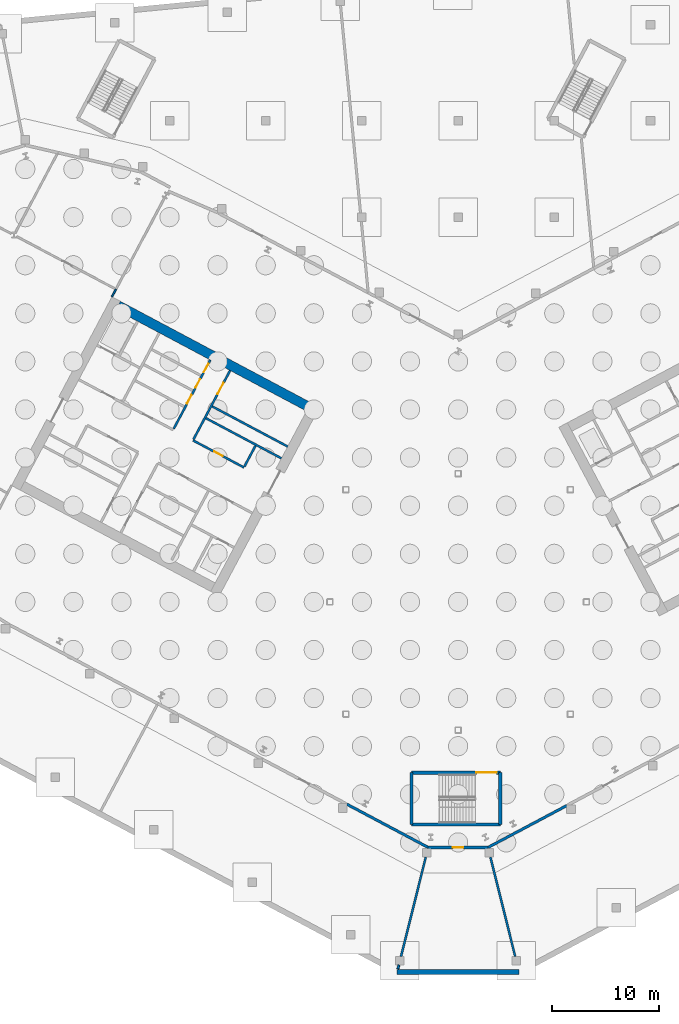
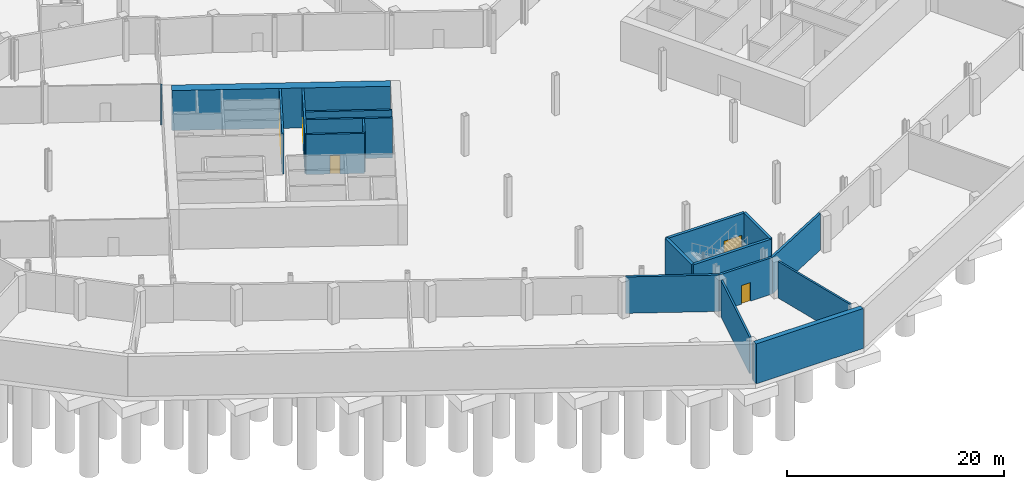
# One storey, part 11 of 29: 19 walls, 7 doors, 7 openings.
"""IFC4 building model written with IfcOpenShell, lengths in metres."""

import ifcopenshell
import ifcopenshell.guid

model = None  # the IFC model being written
_history = None  # IfcOwnerHistory: only IFC2X3 demands one
_inside = {}  # id of a spatial element -> (the spatial element, [elements in it])
_under = {}  # id of a project, library or spatial element -> (it, [spatial elements below it])
_declared = {}  # id of a project -> (the project, [libraries it declares])
_typed = {}  # id of a type object -> (the type object, [elements of that type])
_made_of = {}  # id of a material, layer set ... -> (it, [elements and type objects made of it])


def new_model(schema):
    """Start an empty IFC model of exactly this schema.

    Asked for "IFC4X3", IfcOpenShell would pick the latest addendum, in which some entities
    have other attributes; the version numbers below select the first issue.
    IFC2X3 requires an IfcOwnerHistory on every rooted entity: one is made here for all.
    """
    global model, _history
    if schema == "IFC4X3":
        model = ifcopenshell.file(schema_version=(4, 3, 0, 0))
    else:
        model = ifcopenshell.file(schema=schema)
    _inside.clear()
    _under.clear()
    _declared.clear()
    _typed.clear()
    _made_of.clear()
    _history = None
    if model.schema == "IFC2X3":
        org = make("IfcOrganization", Name="unknown")
        user = make(
            "IfcPersonAndOrganization",
            ThePerson=make("IfcPerson", FamilyName="unknown"),
            TheOrganization=org,
        )
        app = make(
            "IfcApplication",
            ApplicationDeveloper=org,
            Version="unknown",
            ApplicationFullName="unknown",
            ApplicationIdentifier="unknown",
        )
        _history = make(
            "IfcOwnerHistory",
            OwningUser=user,
            OwningApplication=app,
            ChangeAction="ADDED",
            CreationDate=0,
        )
    return model


def make(cls, **values):
    """One entity of the class cls with the attributes given. An attribute that is None is left unset."""
    return model.create_entity(
        cls, **{name: value for name, value in values.items() if value is not None}
    )


def rooted(cls, **values):
    """An entity with a GlobalId (a new one), such as an element, a storey or a relation."""
    return make(cls, GlobalId=ifcopenshell.guid.new(), OwnerHistory=_history, **values)


def si_unit(unit_type, name, prefix=None):
    """IfcSIUnit, for example si_unit("LENGTHUNIT", "METRE", prefix="MILLI")."""
    return make("IfcSIUnit", UnitType=unit_type, Prefix=prefix, Name=name)


def assignment(units):
    """IfcUnitAssignment: the units of a project."""
    return None if units is None else make("IfcUnitAssignment", Units=units)


def point(xyz):
    """IfcCartesianPoint."""
    return None if xyz is None else make("IfcCartesianPoint", Coordinates=xyz)


def direction(xyz):
    """IfcDirection."""
    return None if xyz is None else make("IfcDirection", DirectionRatios=xyz)


def frame(location, z_axis=None, x_axis=None):
    """IfcAxis2Placement3D, a coordinate frame: its origin and axes. An axis left out is left unset."""
    return make(
        "IfcAxis2Placement3D",
        Location=point(location),
        Axis=direction(z_axis),
        RefDirection=direction(x_axis),
    )


def frame_2d(location, x_axis=None):
    """IfcAxis2Placement2D, a coordinate frame in the plane: its origin and x axis."""
    return make(
        "IfcAxis2Placement2D", Location=point(location), RefDirection=direction(x_axis)
    )


def origin():
    """The frame at (0, 0, 0) with its axes left unset."""
    return frame((0.0, 0.0, 0.0))


def place(relative_to, where):
    """IfcLocalPlacement: puts the frame where relative to a parent placement (None: the world)."""
    return make(
        "IfcLocalPlacement", PlacementRelTo=relative_to, RelativePlacement=where
    )


def context(
    kind, dimensions, precision=None, world=None, true_north=None, identifier=None
):
    """IfcGeometricRepresentationContext, for example the 3D "Model" context."""
    return make(
        "IfcGeometricRepresentationContext",
        ContextIdentifier=identifier,
        ContextType=kind,
        CoordinateSpaceDimension=dimensions,
        Precision=precision,
        WorldCoordinateSystem=world,
        TrueNorth=true_north,
    )


def subcontext(parent, identifier, kind, view, scale=None):
    """IfcGeometricRepresentationSubContext, for example "Body" below "Model"."""
    return make(
        "IfcGeometricRepresentationSubContext",
        ContextIdentifier=identifier,
        ContextType=kind,
        ParentContext=parent,
        TargetScale=scale,
        TargetView=view,
    )


def project(units=None, contexts=None):
    """IfcProject with its units and contexts."""
    return rooted(
        "IfcProject",
        Name="project",
        RepresentationContexts=contexts,
        UnitsInContext=assignment(units),
    )


def spatial(cls, under=None, at=None, **own):
    """A site, building, storey or space (cls), placed at a placement, below another one or the project."""
    s = rooted(cls, ObjectPlacement=at, **own)
    if under is not None:
        _under.setdefault(under.id(), (under, []))[1].append(s)
    return s


def profile(cls, at=None, kind="AREA", **sizes):
    """A parametric profile (cls). Its sizes go by their IFC names, for example OverallWidth=200.0."""
    return make(cls, ProfileType=kind, Position=at, **sizes)


def rectangle(**sizes):
    """IfcRectangleProfileDef."""
    return profile("IfcRectangleProfileDef", **sizes)


def extrude(swept, where, along, depth):
    """IfcExtrudedAreaSolid: the profile swept, set in the frame where, extruded along a direction by depth."""
    return make(
        "IfcExtrudedAreaSolid",
        SweptArea=swept,
        Position=where,
        ExtrudedDirection=direction(along),
        Depth=depth,
    )


def shape(context_of_items, identifier, shape_type, items):
    """IfcShapeRepresentation: the items that make up one representation, for example the "Body"."""
    return make(
        "IfcShapeRepresentation",
        ContextOfItems=context_of_items,
        RepresentationIdentifier=identifier,
        RepresentationType=shape_type,
        Items=items,
    )


def material(Name=None, Category=None):
    """IfcMaterial."""
    return make("IfcMaterial", Name=Name, Category=Category)


def layer(
    of_material, thickness, ventilated=None, Name=None, Category=None, Priority=None
):
    """IfcMaterialLayer: one layer of a wall or slab, of a material (None: an air gap)."""
    return make(
        "IfcMaterialLayer",
        Material=of_material,
        LayerThickness=thickness,
        IsVentilated=ventilated,
        Name=Name,
        Category=Category,
        Priority=Priority,
    )


def layer_set(layers, Name=None):
    """IfcMaterialLayerSet."""
    return make("IfcMaterialLayerSet", MaterialLayers=layers, LayerSetName=Name)


def made_of(thing, what):
    """Note that an element or type object is made of a material, layer set ...; save() writes the relation."""
    if what is not None:
        _made_of.setdefault(what.id(), (what, []))[1].append(thing)
    return thing


def type_object(cls, material=None, **own):
    """A type object (cls), such as IfcWallType, which elements share."""
    return made_of(rooted(cls, **own), material)


def element(
    cls,
    number,
    at=None,
    inside=None,
    cuts=None,
    type_object=None,
    material=None,
    context=None,
    identifier="Body",
    shape_type=None,
    held_by="IfcProductDefinitionShape",
    body=None,
    shapes=None,
    **own,
):
    """One element of the class cls, such as IfcWall. Its Tag is "e" and its number.

    at: its placement. inside: the storey or other place that contains it. cuts: it is an
    opening in that element (IfcRelVoidsElement). A single representation is given by context,
    identifier, shape_type and body (its items); several are given by shapes. held_by: the class
    of the entity that holds the representations. save() writes the other relations.
    """
    e = rooted(cls, Tag="e%d" % number, ObjectPlacement=at, **own)
    if body is not None:
        shapes = [shape(context, identifier, shape_type, body)]
    if shapes is not None:
        e.Representation = make(held_by, Representations=shapes)
    if inside is not None:
        _inside.setdefault(inside.id(), (inside, []))[1].append(e)
    if cuts is not None:
        rooted(
            "IfcRelVoidsElement", RelatingBuildingElement=cuts, RelatedOpeningElement=e
        )
    if type_object is not None:
        _typed.setdefault(type_object.id(), (type_object, []))[1].append(e)
    return made_of(e, material)


def fill(opening, filler):
    """IfcRelFillsElement: the door or window that sits in an opening."""
    return rooted(
        "IfcRelFillsElement",
        RelatingOpeningElement=opening,
        RelatedBuildingElement=filler,
    )


def aggregate(whole, parts):
    """IfcRelAggregates: a whole, such as a stair, and the parts it consists of."""
    return rooted("IfcRelAggregates", RelatingObject=whole, RelatedObjects=parts)


def save(model, path):
    """Write the relations noted so far, then the file.

    IfcRelAggregates (storeys below a building ...), IfcRelContainedInSpatialStructure (elements
    in a storey), IfcRelDefinesByType, IfcRelAssociatesMaterial and IfcRelDeclares: one each for
    every whole, place, type object, material and project.
    """
    for whole, parts in _under.values():
        aggregate(whole, parts)
    for where, things in _inside.values():
        rooted(
            "IfcRelContainedInSpatialStructure",
            RelatedElements=things,
            RelatingStructure=where,
        )
    for kind, things in _typed.values():
        rooted("IfcRelDefinesByType", RelatedObjects=things, RelatingType=kind)
    for what, things in _made_of.values():
        rooted("IfcRelAssociatesMaterial", RelatedObjects=things, RelatingMaterial=what)
    for by, libraries in _declared.values():
        rooted("IfcRelDeclares", RelatingContext=by, RelatedDefinitions=libraries)
    model.write(path)


model = new_model("IFC4")

# Units and contexts
model_context = context("Model", 3, precision=1e-05, world=origin(), true_north=direction((0.0, 1.0)))
body_context = subcontext(model_context, "Body", "Model", "MODEL_VIEW")
ifc_project = project(units=[si_unit("LENGTHUNIT", "METRE"), si_unit("AREAUNIT", "SQUARE_METRE"), si_unit("VOLUMEUNIT", "CUBIC_METRE"), si_unit("PLANEANGLEUNIT", "RADIAN"), si_unit("MASSUNIT", "GRAM", prefix="KILO")], contexts=[model_context])

# Site, building, storey
site_placement = place(None, origin())
site = spatial("IfcSite", under=ifc_project, at=site_placement, CompositionType="ELEMENT")
building_placement = place(site_placement, origin())
building = spatial("IfcBuilding", under=site, at=building_placement, Name="Cormorant Relay Tower", CompositionType="ELEMENT")
storey_placement = place(building_placement, frame((0.0, 0.0, -9.0)))
storey = spatial("IfcBuildingStorey", under=building, at=storey_placement, Name="B2", CompositionType="ELEMENT", Elevation=-9.0)

# Wall
ifc_material_1 = material(Name="Concrete 50 MPa", Category="concrete")
ifc_layer_1 = layer(ifc_material_1, 0.199951171875)
ifc_layer_set_1 = layer_set([ifc_layer_1], Name="Core shaft wall 200")
wall_type_1 = type_object("IfcWallType", Name="Core shaft wall 200", PredefinedType="SHEAR", material=ifc_layer_set_1)
wall_1_placement = place(storey_placement, frame((-18.959716796875, 14.611328125, 0.0), z_axis=(0.0, 0.0, 1.0), x_axis=(-0.4694473164, -0.882960484464, 0.0)))
element("IfcWall", 1, at=wall_1_placement, inside=storey, type_object=wall_type_1, Name="B2 core A shaft wall", PredefinedType="SHEAR", context=body_context, shape_type="SweptSolid", body=[
    extrude(rectangle(XDim=2.199951171875, YDim=0.199951171875, at=frame_2d((1.10009765625, 0.0))), origin(), (0.0, 0.0, 1.0), 4.5),
])

# Wall, opening, door
wall_2_placement = place(storey_placement, frame((-21.333251953125, 21.6494140625, 0.0), z_axis=(0.0, 0.0, 1.0), x_axis=(-0.469494272526, -0.882935517501, 0.0)))
wall_2 = element("IfcWall", 2, at=wall_2_placement, inside=storey, type_object=wall_type_1, Name="B2 core A shaft wall", PredefinedType="SHEAR", context=body_context, shape_type="SweptSolid", body=[
    extrude(rectangle(XDim=7.2998046875, YDim=0.199951171875, at=frame_2d((3.64990234375, 0.0))), origin(), (0.0, 0.0, 1.0), 4.5),
])
opening_1_placement = place(wall_2_placement, frame((1.300048828125, 0.0, 0.0)))
opening_1 = element("IfcOpeningElement", 3, at=opening_1_placement, cuts=wall_2, Name="Opening CDB-001", PredefinedType="OPENING", context=body_context, shape_type="SweptSolid", body=[
    extrude(rectangle(XDim=1.199951171875, YDim=2.10009765625, at=frame_2d((0.60009765625, 1.050048828125))), frame((0.0, 0.10986328125, 0.0), z_axis=(0.0, -1.0, 0.0), x_axis=(1.0, 0.0, 0.0)), (0.0, 0.0, 1.0), 0.219970703125),
])
ifc_material_2 = material(Name="Steel fire door", Category="steel")
door_type_1 = type_object("IfcDoorType", Name="Core stair door 1200x2100", OperationType="SINGLE_SWING_LEFT", PredefinedType="DOOR", material=ifc_material_2)
door_1_placement = place(opening_1_placement, origin())
door_1 = element("IfcDoor", 4, at=door_1_placement, inside=storey, type_object=door_type_1, Name="Core stair door 1200x2100", OperationType="SINGLE_SWING_RIGHT", OverallHeight=2.10009765625, OverallWidth=1.199951171875, PredefinedType="DOOR", context=body_context, shape_type="SweptSolid", body=[
    extrude(rectangle(XDim=1.199951171875, YDim=2.10009765625, at=frame_2d((0.60009765625, 1.050048828125))), frame((0.0, 0.02490234375, 0.0), z_axis=(0.0, -1.0, 0.0), x_axis=(1.0, 0.0, 0.0)), (0.0, 0.0, 1.0), 0.050048828125),
])
fill(opening_1, door_1)

# Wall, openings, doors
wall_3_placement = place(storey_placement, frame((-23.1875, 22.635498046875, 0.0), z_axis=(0.0, 0.0, 1.0), x_axis=(-0.469454336211, -0.882956752176, 0.0)))
wall_3 = element("IfcWall", 5, at=wall_3_placement, inside=storey, type_object=wall_type_1, Name="B2 core A shaft wall", PredefinedType="SHEAR", context=body_context, shape_type="SweptSolid", body=[
    extrude(rectangle(XDim=7.300048828125, YDim=0.199951171875, at=frame_2d((3.64990234375, 0.0))), origin(), (0.0, 0.0, 1.0), 4.5),
])
opening_2_placement = place(wall_3_placement, frame((0.39990234375, 0.0, 0.0)))
opening_2 = element("IfcOpeningElement", 6, at=opening_2_placement, cuts=wall_3, Name="Opening CDD-007", PredefinedType="OPENING", context=body_context, shape_type="SweptSolid", body=[
    extrude(rectangle(XDim=0.89990234375, YDim=2.10009765625, at=frame_2d((0.449951171875, 1.050048828125))), frame((0.0, 0.10986328125, 0.0), z_axis=(0.0, -1.0, 0.0), x_axis=(1.0, 0.0, 0.0)), (0.0, 0.0, 1.0), 0.219970703125),
])
opening_3_placement = place(wall_3_placement, frame((2.050048828125, 0.0, 0.0)))
opening_3 = element("IfcOpeningElement", 7, at=opening_3_placement, cuts=wall_3, Name="Opening CDD-008", PredefinedType="OPENING", context=body_context, shape_type="SweptSolid", body=[
    extrude(rectangle(XDim=0.89990234375, YDim=2.10009765625, at=frame_2d((0.449951171875, 1.050048828125))), frame((0.0, 0.10986328125, 0.0), z_axis=(0.0, -1.0, 0.0), x_axis=(1.0, 0.0, 0.0)), (0.0, 0.0, 1.0), 0.219970703125),
])
opening_4_placement = place(wall_3_placement, frame((3.699951171875, 0.0, 0.0)))
opening_4 = element("IfcOpeningElement", 8, at=opening_4_placement, cuts=wall_3, Name="Opening CDD-009", PredefinedType="OPENING", context=body_context, shape_type="SweptSolid", body=[
    extrude(rectangle(XDim=0.89990234375, YDim=2.10009765625, at=frame_2d((0.449951171875, 1.050048828125))), frame((0.0, 0.10986328125, 0.0), z_axis=(0.0, -1.0, 0.0), x_axis=(1.0, 0.0, 0.0)), (0.0, 0.0, 1.0), 0.219970703125),
])
ifc_material_3 = material(Name="Steel fire door", Category="steel")
door_type_2 = type_object("IfcDoorType", Name="Core room door 900x2100", OperationType="SINGLE_SWING_LEFT", PredefinedType="DOOR", material=ifc_material_3)
door_2_placement = place(opening_2_placement, frame((0.89990234375, 0.0, 0.0), z_axis=(0.0, 0.0, 1.0), x_axis=(-1.0, 0.0, 0.0)))
door_2 = element("IfcDoor", 9, at=door_2_placement, inside=storey, type_object=door_type_2, Name="Core room door 900x2100", OperationType="SINGLE_SWING_LEFT", OverallHeight=2.10009765625, OverallWidth=0.89990234375, PredefinedType="DOOR", context=body_context, shape_type="SweptSolid", body=[
    extrude(rectangle(XDim=0.89990234375, YDim=2.10009765625, at=frame_2d((0.449951171875, 1.050048828125))), frame((0.0, 0.02490234375, 0.0), z_axis=(0.0, -1.0, 0.0), x_axis=(1.0, 0.0, 0.0)), (0.0, 0.0, 1.0), 0.050048828125),
])
fill(opening_2, door_2)
door_3_placement = place(opening_3_placement, frame((0.89990234375, 0.0, 0.0), z_axis=(0.0, 0.0, 1.0), x_axis=(-1.0, 0.0, 0.0)))
door_3 = element("IfcDoor", 10, at=door_3_placement, inside=storey, type_object=door_type_2, Name="Core room door 900x2100", OperationType="SINGLE_SWING_RIGHT", OverallHeight=2.10009765625, OverallWidth=0.89990234375, PredefinedType="DOOR", context=body_context, shape_type="SweptSolid", body=[
    extrude(rectangle(XDim=0.89990234375, YDim=2.10009765625, at=frame_2d((0.449951171875, 1.050048828125))), frame((0.0, 0.02490234375, 0.0), z_axis=(0.0, -1.0, 0.0), x_axis=(1.0, 0.0, 0.0)), (0.0, 0.0, 1.0), 0.050048828125),
])
fill(opening_3, door_3)
door_4_placement = place(opening_4_placement, frame((0.89990234375, 0.0, 0.0), z_axis=(0.0, 0.0, 1.0), x_axis=(-1.0, 0.0, 0.0)))
door_4 = element("IfcDoor", 11, at=door_4_placement, inside=storey, type_object=door_type_2, Name="Core room door 900x2100", OperationType="SINGLE_SWING_RIGHT", OverallHeight=2.10009765625, OverallWidth=0.89990234375, PredefinedType="DOOR", context=body_context, shape_type="SweptSolid", body=[
    extrude(rectangle(XDim=0.89990234375, YDim=2.10009765625, at=frame_2d((0.449951171875, 1.050048828125))), frame((0.0, 0.02490234375, 0.0), z_axis=(0.0, -1.0, 0.0), x_axis=(1.0, 0.0, 0.0)), (0.0, 0.0, 1.0), 0.050048828125),
])
fill(opening_4, door_4)

# Walls
wall_4_placement = place(storey_placement, frame((-15.94189453125, 14.53564453125, 0.0), z_axis=(0.0, 0.0, 1.0), x_axis=(-0.882946947542, 0.469472776449, 0.0)))
element("IfcWall", 12, at=wall_4_placement, inside=storey, type_object=wall_type_1, Name="B2 core A shaft wall", PredefinedType="SHEAR", context=body_context, shape_type="SweptSolid", body=[
    extrude(rectangle(XDim=8.000244140625, YDim=0.199951171875, at=frame_2d((4.0, 0.0))), origin(), (0.0, 0.0, 1.0), 4.5),
])
wall_5_placement = place(storey_placement, frame((-16.52880859375, 13.43212890625, 0.0), z_axis=(0.0, 0.0, 1.0), x_axis=(-0.88295287151, 0.469461634952, 0.0)))
element("IfcWall", 13, at=wall_5_placement, inside=storey, type_object=wall_type_1, Name="B2 core A shaft wall", PredefinedType="SHEAR", context=body_context, shape_type="SweptSolid", body=[
    extrude(rectangle(XDim=7.999755859375, YDim=0.199951171875, at=frame_2d((4.0, 0.0))), origin(), (0.0, 0.0, 1.0), 4.5),
])

# Wall, opening, door
wall_6_placement = place(storey_placement, frame((-20.03955078125, 12.58056640625, 0.0), z_axis=(0.0, 0.0, 1.0), x_axis=(-0.882942972946, 0.469480251476, 0.0)))
wall_6 = element("IfcWall", 14, at=wall_6_placement, inside=storey, type_object=wall_type_1, Name="B2 core A shaft wall", PredefinedType="SHEAR", context=body_context, shape_type="SweptSolid", body=[
    extrude(rectangle(XDim=5.39990234375, YDim=0.199951171875, at=frame_2d((2.699951171875, 0.0))), origin(), (0.0, 0.0, 1.0), 4.5),
])
opening_5_placement = place(wall_6_placement, frame((2.25, 0.0, 0.0)))
opening_5 = element("IfcOpeningElement", 15, at=opening_5_placement, cuts=wall_6, Name="Opening CDD-003", PredefinedType="OPENING", context=body_context, shape_type="SweptSolid", body=[
    extrude(rectangle(XDim=0.89990234375, YDim=2.10009765625, at=frame_2d((0.449951171875, 1.050048828125))), frame((0.0, 0.10986328125, 0.0), z_axis=(0.0, -1.0, 0.0), x_axis=(1.0, 0.0, 0.0)), (0.0, 0.0, 1.0), 0.219970703125),
])
door_5_placement = place(opening_5_placement, frame((0.89990234375, 0.0, 0.0), z_axis=(0.0, 0.0, 1.0), x_axis=(-1.0, 0.0, 0.0)))
door_5 = element("IfcDoor", 16, at=door_5_placement, inside=storey, type_object=door_type_2, Name="Core room door 900x2100", OperationType="SINGLE_SWING_RIGHT", OverallHeight=2.10009765625, OverallWidth=0.89990234375, PredefinedType="DOOR", context=body_context, shape_type="SweptSolid", body=[
    extrude(rectangle(XDim=0.89990234375, YDim=2.10009765625, at=frame_2d((0.449951171875, 1.050048828125))), frame((0.0, 0.02490234375, 0.0), z_axis=(0.0, -1.0, 0.0), x_axis=(1.0, 0.0, 0.0)), (0.0, 0.0, 1.0), 0.050048828125),
])
fill(opening_5, door_5)

# Walls
ifc_material_4 = material(Name="Concrete 70 MPa", Category="concrete")
ifc_layer_2 = layer(ifc_material_4, 0.89990234375)
ifc_layer_set_2 = layer_set([ifc_layer_2], Name="Core wall 900")
wall_type_2 = type_object("IfcWallType", Name="Core wall 900", PredefinedType="SHEAR", material=ifc_layer_set_2)
wall_7_placement = place(storey_placement, frame((-13.97021484375, 18.244140625, 0.0), z_axis=(0.0, 0.0, 1.0), x_axis=(-0.88294509198, 0.469476266226, 0.0)))
element("IfcWall", 17, at=wall_7_placement, inside=storey, type_object=wall_type_2, Name="B2 core A wall", PredefinedType="SHEAR", context=body_context, shape_type="SweptSolid", body=[
    extrude(rectangle(XDim=20.199951171875, YDim=0.89990234375, at=frame_2d((10.10009765625, 0.0))), origin(), (0.0, 0.0, 1.0), 4.5),
])
ifc_material_5 = material(Name="Concrete masonry 20 MPa", Category="masonry")
ifc_layer_3 = layer(ifc_material_5, 0.25)
ifc_layer_set_3 = layer_set([ifc_layer_3], Name="Fire separation wall 250")
wall_type_3 = type_object("IfcWallType", Name="Fire separation wall 250", PredefinedType="SOLIDWALL", material=ifc_layer_set_3)
wall_8_placement = place(storey_placement, frame((10.1650390625, -19.057373046875, 0.0), z_axis=(0.0, 0.0, 1.0), x_axis=(-0.882987691761, -0.469396139949, 0.0)))
element("IfcWall", 18, at=wall_8_placement, inside=storey, type_object=wall_type_3, Name="Partition", PredefinedType="SOLIDWALL", context=body_context, shape_type="SweptSolid", body=[
    extrude(rectangle(XDim=8.347412109375, YDim=0.25, at=frame_2d((4.173828125, 0.0))), origin(), (0.0, 0.0, 1.0), 4.10009765625),
])
wall_9_placement = place(storey_placement, frame((-2.79443359375, -22.9755859375, 0.0), z_axis=(0.0, 0.0, 1.0), x_axis=(-0.882976758677, 0.469416705749, 0.0)))
element("IfcWall", 19, at=wall_9_placement, inside=storey, type_object=wall_type_3, Name="Partition", PredefinedType="SOLIDWALL", context=body_context, shape_type="SweptSolid", body=[
    extrude(rectangle(XDim=8.623779296875, YDim=0.25, at=frame_2d((4.31201171875, 0.0))), origin(), (0.0, 0.0, 1.0), 4.10009765625),
])

# Wall, opening, door
wall_10_placement = place(storey_placement, frame((2.802001953125, -22.9736328125, 0.0), z_axis=(0.0, 0.0, 1.0), x_axis=(-1.0, 0.0, 0.0)))
wall_10 = element("IfcWall", 20, at=wall_10_placement, inside=storey, type_object=wall_type_3, Name="Partition", PredefinedType="SOLIDWALL", context=body_context, shape_type="SweptSolid", body=[
    extrude(rectangle(XDim=5.60400390625, YDim=0.25, at=frame_2d((2.802001953125, 0.0))), origin(), (0.0, 0.0, 1.0), 4.10009765625),
])
opening_6_placement = place(wall_10_placement, frame((2.302001953125, 0.0, 0.0)))
opening_6 = element("IfcOpeningElement", 21, at=opening_6_placement, cuts=wall_10, Name="Opening PD1-007", PredefinedType="OPENING", context=body_context, shape_type="SweptSolid", body=[
    extrude(rectangle(XDim=1.0, YDim=2.10009765625, at=frame_2d((0.5, 1.050048828125))), frame((0.0, 0.135009765625, 0.0), z_axis=(0.0, -1.0, 0.0), x_axis=(1.0, 0.0, 0.0)), (0.0, 0.0, 1.0), 0.27001953125),
])
ifc_material_6 = material(Name="Steel door leaf", Category="steel")
door_type_3 = type_object("IfcDoorType", Name="Door single 1000", OperationType="SINGLE_SWING_LEFT", PredefinedType="DOOR", material=ifc_material_6)
door_6_placement = place(opening_6_placement, origin())
door_6 = element("IfcDoor", 22, at=door_6_placement, inside=storey, type_object=door_type_3, Name="Door", OperationType="SINGLE_SWING_LEFT", OverallHeight=2.10009765625, OverallWidth=1.0, PredefinedType="DOOR", context=body_context, shape_type="SweptSolid", body=[
    extrude(rectangle(XDim=1.0, YDim=2.10009765625, at=frame_2d((0.5, 1.050048828125))), frame((0.0, 0.02490234375, 0.0), z_axis=(0.0, -1.0, 0.0), x_axis=(1.0, 0.0, 0.0)), (0.0, 0.0, 1.0), 0.050048828125),
])
fill(opening_6, door_6)

# Walls
ifc_material_7 = material(Name="Gypsum board on steel stud", Category="steel")
ifc_layer_4 = layer(ifc_material_7, 0.14990234375)
ifc_layer_set_4 = layer_set([ifc_layer_4], Name="Partition 150")
wall_type_4 = type_object("IfcWallType", Name="Partition 150", PredefinedType="PARTITIONING", material=ifc_layer_set_4)
wall_11_placement = place(storey_placement, frame((-32.38916015625, 28.54736328125, 0.0), z_axis=(0.0, 0.0, 1.0), x_axis=(0.469582372655, 0.882888665287, 0.0)))
element("IfcWall", 23, at=wall_11_placement, inside=storey, type_object=wall_type_4, Name="Partition", PredefinedType="PARTITIONING", context=body_context, shape_type="SweptSolid", body=[
    extrude(rectangle(XDim=0.7939453125, YDim=0.14990234375, at=frame_2d((0.39697265625, 0.0))), origin(), (0.0, 0.0, 1.0), 4.10009765625),
])
ifc_material_8 = material(Name="Concrete masonry 20 MPa", Category="masonry")
ifc_layer_5 = layer(ifc_material_8, 0.199951171875)
ifc_layer_set_5 = layer_set([ifc_layer_5], Name="Plant room wall 200")
wall_type_5 = type_object("IfcWallType", Name="Plant room wall 200", PredefinedType="PARTITIONING", material=ifc_layer_set_5)
wall_12_placement = place(storey_placement, frame((3.02294921875, -23.8759765625, 0.0), z_axis=(0.0, 0.0, 1.0), x_axis=(0.241930250256, -0.970293643188, 0.0)))
element("IfcWall", 24, at=wall_12_placement, inside=storey, type_object=wall_type_5, Name="Partition", PredefinedType="PARTITIONING", context=body_context, shape_type="SweptSolid", body=[
    extrude(rectangle(XDim=9.584716796875, YDim=0.199951171875, at=frame_2d((4.79248046875, 0.0))), origin(), (0.0, 0.0, 1.0), 4.10009765625),
])
wall_13_placement = place(storey_placement, frame((-5.634765625, -34.351318359375, 0.0), z_axis=(0.0, 0.0, 1.0), x_axis=(0.241792832925, 0.970327896098, 0.0)))
element("IfcWall", 25, at=wall_13_placement, inside=storey, type_object=wall_type_5, Name="Partition", PredefinedType="PARTITIONING", context=body_context, shape_type="SweptSolid", body=[
    extrude(rectangle(XDim=0.38671875, YDim=0.199951171875, at=frame_2d((0.193359375, 0.0))), origin(), (0.0, 0.0, 1.0), 4.10009765625),
])
wall_14_placement = place(storey_placement, frame((-5.341796875, -33.176025390625, 0.0), z_axis=(0.0, 0.0, 1.0), x_axis=(0.241930250256, 0.970293643188, 0.0)))
element("IfcWall", 26, at=wall_14_placement, inside=storey, type_object=wall_type_5, Name="Partition", PredefinedType="PARTITIONING", context=body_context, shape_type="SweptSolid", body=[
    extrude(rectangle(XDim=9.584716796875, YDim=0.199951171875, at=frame_2d((4.79248046875, 0.0))), origin(), (0.0, 0.0, 1.0), 4.10009765625),
])
ifc_material_9 = material(Name="Concrete 50 MPa", Category="concrete")
ifc_layer_6 = layer(ifc_material_9, 0.300048828125)
ifc_layer_set_6 = layer_set([ifc_layer_6], Name="Remote stair wall 300")
wall_type_6 = type_object("IfcWallType", Name="Remote stair wall 300", PredefinedType="SHEAR", material=ifc_layer_set_6)
wall_15_placement = place(storey_placement, frame((3.949951171875, -15.97509765625, 0.0), z_axis=(0.0, 0.0, 1.0), x_axis=(0.0, -1.0, 0.0)))
element("IfcWall", 27, at=wall_15_placement, inside=storey, type_object=wall_type_6, Name="B2 exit stair RK1 wall", PredefinedType="SHEAR", context=body_context, shape_type="SweptSolid", body=[
    extrude(rectangle(XDim=4.849853515625, YDim=0.300048828125, at=frame_2d((2.4248046875, 0.0))), origin(), (0.0, 0.0, 1.0), 4.5),
])
wall_16_placement = place(storey_placement, frame((3.949951171875, -20.824951171875, 0.0), z_axis=(0.0, 0.0, 1.0), x_axis=(-1.0, 0.0, 0.0)))
element("IfcWall", 28, at=wall_16_placement, inside=storey, type_object=wall_type_6, Name="B2 exit stair RK1 wall", PredefinedType="SHEAR", context=body_context, shape_type="SweptSolid", body=[
    extrude(rectangle(XDim=8.300048828125, YDim=0.300048828125, at=frame_2d((4.14990234375, 0.0))), origin(), (0.0, 0.0, 1.0), 4.5),
])
wall_17_placement = place(storey_placement, frame((-4.35009765625, -20.824951171875, 0.0), z_axis=(0.0, 0.0, 1.0), x_axis=(0.0, 1.0, 0.0)))
element("IfcWall", 29, at=wall_17_placement, inside=storey, type_object=wall_type_6, Name="B2 exit stair RK1 wall", PredefinedType="SHEAR", context=body_context, shape_type="SweptSolid", body=[
    extrude(rectangle(XDim=4.849853515625, YDim=0.300048828125, at=frame_2d((2.4248046875, 0.0))), origin(), (0.0, 0.0, 1.0), 4.5),
])

# Wall, opening, door
wall_18_placement = place(storey_placement, frame((-4.35009765625, -15.97509765625, 0.0), z_axis=(0.0, 0.0, 1.0), x_axis=(1.0, 0.0, 0.0)))
wall_18 = element("IfcWall", 30, at=wall_18_placement, inside=storey, type_object=wall_type_6, Name="B2 exit stair RK1 wall", PredefinedType="SHEAR", context=body_context, shape_type="SweptSolid", body=[
    extrude(rectangle(XDim=8.300048828125, YDim=0.300048828125, at=frame_2d((4.14990234375, 0.0))), origin(), (0.0, 0.0, 1.0), 4.5),
])
opening_7_placement = place(wall_18_placement, frame((6.050048828125, 0.0, 0.0)))
opening_7 = element("IfcOpeningElement", 31, at=opening_7_placement, cuts=wall_18, Name="Opening CDE-001", PredefinedType="OPENING", context=body_context, shape_type="SweptSolid", body=[
    extrude(rectangle(XDim=1.89990234375, YDim=2.10009765625, at=frame_2d((0.949951171875, 1.050048828125))), frame((0.0, 0.159912109375, 0.0), z_axis=(0.0, -1.0, 0.0), x_axis=(1.0, 0.0, 0.0)), (0.0, 0.0, 1.0), 0.320068359375),
])
ifc_material_10 = material(Name="Steel fire door", Category="steel")
door_type_4 = type_object("IfcDoorType", Name="Remote stair door 1900x2100", OperationType="DOUBLE_DOOR_SINGLE_SWING", PredefinedType="DOOR", material=ifc_material_10)
door_7_placement = place(opening_7_placement, origin())
door_7 = element("IfcDoor", 32, at=door_7_placement, inside=storey, type_object=door_type_4, Name="Exit stair RK1 door", OperationType="DOUBLE_DOOR_SINGLE_SWING", OverallHeight=2.10009765625, OverallWidth=1.89990234375, PredefinedType="DOOR", context=body_context, shape_type="SweptSolid", body=[
    extrude(rectangle(XDim=1.89990234375, YDim=2.10009765625, at=frame_2d((0.949951171875, 1.050048828125))), frame((0.0, 0.02490234375, 0.0), z_axis=(0.0, -1.0, 0.0), x_axis=(1.0, 0.0, 0.0)), (0.0, 0.0, 1.0), 0.050048828125),
])
fill(opening_7, door_7)

# Wall
ifc_material_11 = material(Name="Concrete 40 MPa", Category="concrete")
ifc_layer_7 = layer(ifc_material_11, 0.5)
ifc_layer_set_7 = layer_set([ifc_layer_7], Name="Retaining wall 500")
wall_type_7 = type_object("IfcWallType", Name="Retaining wall 500", PredefinedType="SOLIDWALL", material=ifc_layer_set_7)
wall_19_placement = place(storey_placement, frame((-5.703125, -34.62548828125, 0.0), z_axis=(0.0, 0.0, 1.0), x_axis=(1.0, 0.0, 0.0)))
element("IfcWall", 33, at=wall_19_placement, inside=storey, type_object=wall_type_7, Name="Retaining wall", PredefinedType="SOLIDWALL", context=body_context, shape_type="SweptSolid", body=[
    extrude(rectangle(XDim=11.40625, YDim=0.5, at=frame_2d((5.703125, 0.0))), origin(), (0.0, 0.0, 1.0), 4.5),
])

save(model, "model.ifc")
